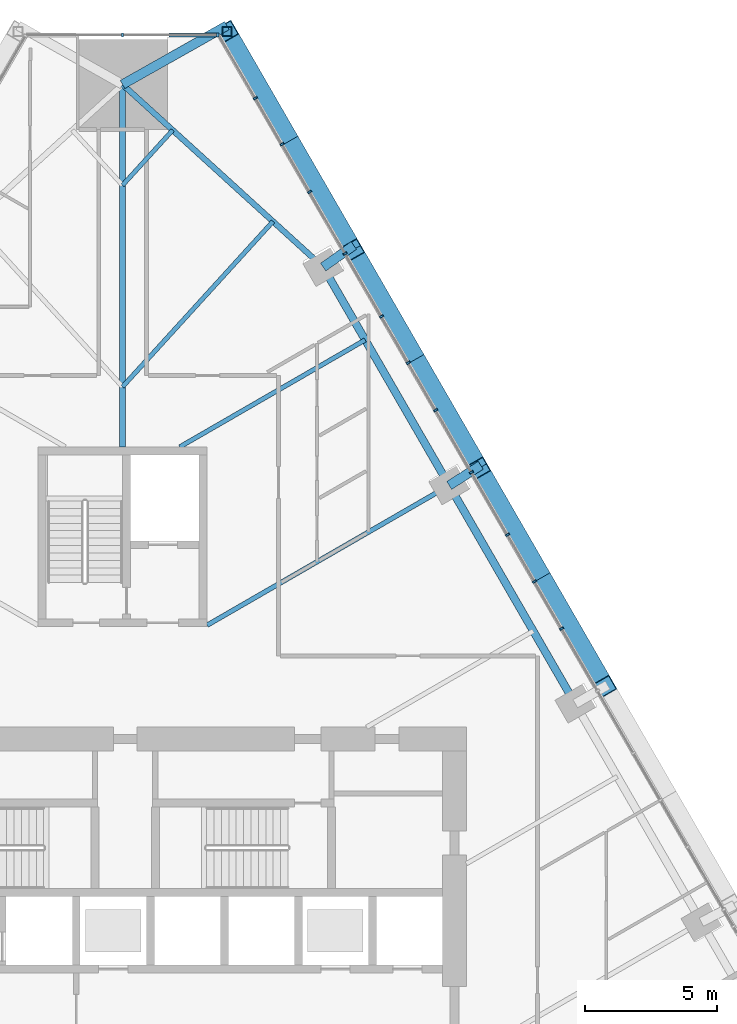
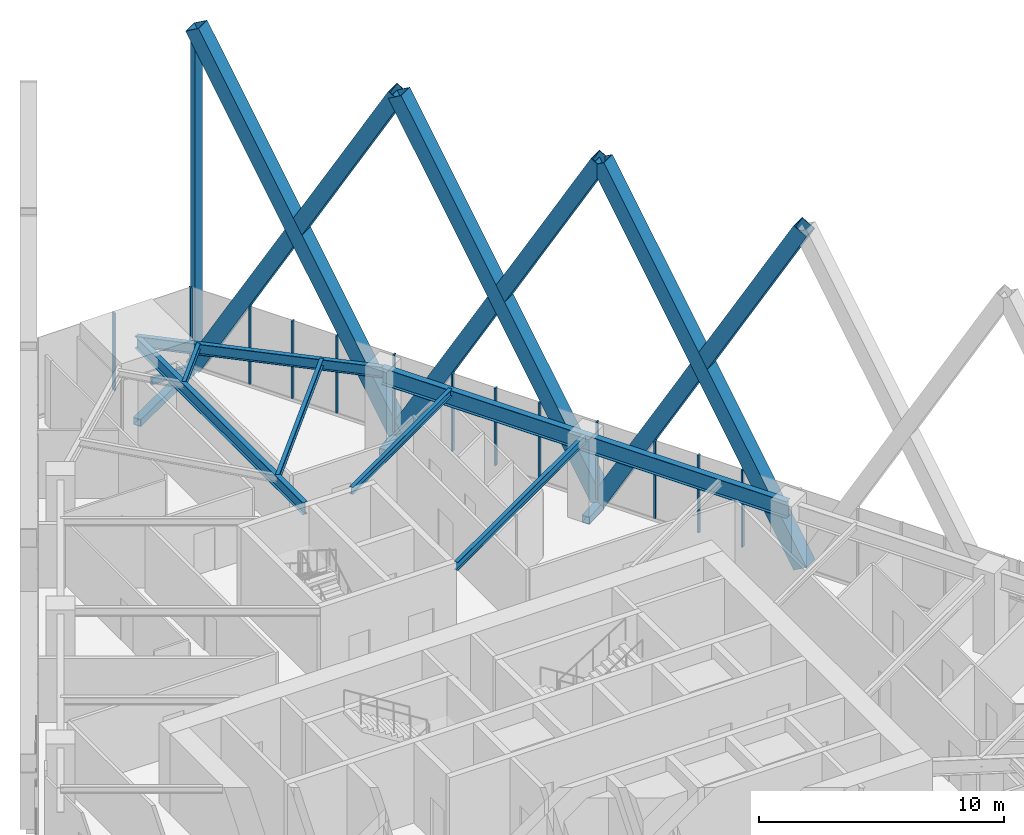
# One storey, part 11 of 23: 24 members, 7 beams, 2 elements without a shape of their own.
"""IFC4 building model written with IfcOpenShell, lengths in metres."""

from ifc_helpers import new_model, si_unit, direction, frame, origin, origin_2d, place, context, subcontext, project, spatial, rectangle, hollow_rectangle, i_section, extrude, material, layer, layer_set, material_profile, profile_set, type_object, element, aggregate, save


model = new_model("IFC4")

# Units and contexts
model_context = context("Model", 3, precision=1e-05, world=origin(), true_north=direction((0.0, 1.0)))
body_context = subcontext(model_context, "Body", "Model", "MODEL_VIEW")
ifc_project = project(units=[si_unit("LENGTHUNIT", "METRE"), si_unit("AREAUNIT", "SQUARE_METRE"), si_unit("VOLUMEUNIT", "CUBIC_METRE"), si_unit("PLANEANGLEUNIT", "RADIAN"), si_unit("MASSUNIT", "GRAM", prefix="KILO")], contexts=[model_context])

# Site, building, storey
site_placement = place(None, origin())
site = spatial("IfcSite", under=ifc_project, at=site_placement, CompositionType="ELEMENT")
building_placement = place(site_placement, origin())
building = spatial("IfcBuilding", under=site, at=building_placement, Name="Firuza Gate Tower and Library", CompositionType="ELEMENT")
storey_placement = place(building_placement, frame((0.0, 0.0, 56.800048828125)))
storey = spatial("IfcBuildingStorey", under=building, at=storey_placement, Name="L12", CompositionType="ELEMENT", Elevation=56.800048828125)

# Members
ifc_material_1 = material(Name="Steel S355", Category="steel")
ifc_material_profile_1 = material_profile(ifc_material_1, hollow_rectangle(XDim=0.699951171875, YDim=0.699951171875, WallThickness=0.030029296875, at=origin_2d()))
ifc_profile_set_1 = profile_set([ifc_material_profile_1], Name="Steel S355")
member_type_1 = type_object("IfcMemberType", Name="BU700x700x30 Lattice brace", PredefinedType="BRACE", material=ifc_profile_set_1)
for number, where, z_axis, x_axis, name in (
    (1, (93.248046875, 85.53564453125, 0.0), (-0.246782210514, 0.427451661466, 0.86970317792), (-0.866031651222, -0.499989178965, 0.0), "Lattice brace E 2.4R"),
    (2, (88.48095703125, 93.792724609375, 0.0), (0.246782210514, -0.427451661466, 0.86970317792), (0.866031651222, 0.499989178965, 0.0), "Lattice brace E 2.4L"),
):
    element("IfcMember", number, at=place(storey_placement, frame(where, z_axis=z_axis, x_axis=x_axis)), inside=storey, type_object=member_type_1, Name=name, PredefinedType="BRACE", context=body_context, shape_type="SweptSolid", body=[
        extrude(hollow_rectangle(XDim=0.699951171875, YDim=0.699951171875, WallThickness=0.030029296875, at=origin_2d()), origin(), (0.0, 0.0, 1.0), 19.31689453125),
    ])
for number, where, z_axis, x_axis, name in (
    (3, (88.48095703125, 93.792724609375, 0.0), (-0.246794079392, 0.427450328219, 0.869700465265), (-0.866020563445, -0.50000838362, 0.0), "Lattice brace E 2.5R"),
    (4, (83.713623046875, 102.0498046875, 0.0), (0.246794079392, -0.427450328219, 0.869700465265), (0.866020563445, 0.50000838362, 0.0), "Lattice brace E 2.5L"),
    (5, (83.713623046875, 102.0498046875, 0.0), (-0.246794079392, 0.427450328219, 0.869700465265), (-0.866020563445, -0.50000838362, 0.0), "Lattice brace E 2.6R"),
    (6, (78.9462890625, 110.306884765625, 0.0), (0.246794079392, -0.427450328219, 0.869700465265), (0.866020563445, 0.50000838362, 0.0), "Lattice brace E 2.6L"),
):
    element("IfcMember", number, at=place(storey_placement, frame(where, z_axis=z_axis, x_axis=x_axis)), inside=storey, type_object=member_type_1, Name=name, PredefinedType="BRACE", context=body_context, shape_type="SweptSolid", body=[
        extrude(hollow_rectangle(XDim=0.699951171875, YDim=0.699951171875, WallThickness=0.030029296875, at=origin_2d()), origin(), (0.0, 0.0, 1.0), 19.317138671875),
    ])

# Curtain wall, members
ifc_material_2 = material(Name="Aluminium 6063-T6", Category="aluminium")
ifc_layer_1 = layer(ifc_material_2, 0.14990234375)
ifc_layer_set_1 = layer_set([ifc_layer_1], Name="Unitised curtain wall, offices")
curtain_wall_type_1 = type_object("IfcCurtainWallType", Name="Unitised curtain wall, offices", PredefinedType="NOTDEFINED", material=ifc_layer_set_1)
placement = place(storey_placement, origin())
curtain_wall_1 = element("IfcCurtainWall", 7, at=placement, inside=storey, type_object=curtain_wall_type_1, Name="CW1 L12 E face", PredefinedType="NOTDEFINED")
ifc_material_3 = material(Name="Aluminium 6063-T6", Category="aluminium")
ifc_material_profile_2 = material_profile(ifc_material_3, rectangle(XDim=0.14990234375, YDim=0.080078125, at=origin_2d()))
ifc_profile_set_2 = profile_set([ifc_material_profile_2], Name="Aluminium 6063-T6")
member_type_2 = type_object("IfcMemberType", Name="Curtain wall mullion 80x150", PredefinedType="MULLION", material=ifc_profile_set_2)
member_1_placement = place(storey_placement, frame((90.579345703125, 89.5078125, 0.14990234375), z_axis=(0.0, 0.0, 1.0), x_axis=(-0.866025403784, -0.5, 0.0)))
member_1 = element("IfcMember", 8, at=member_1_placement, type_object=member_type_2, Name="Mullion", PredefinedType="MULLION", context=body_context, shape_type="SweptSolid", body=[
    extrude(rectangle(XDim=0.14990234375, YDim=0.080078125, at=origin_2d()), origin(), (0.0, 0.0, 1.0), 3.85009765625),
])
member_2_placement = place(storey_placement, frame((88.192138671875, 93.642578125, 0.14990234375), z_axis=(0.0, 0.0, 1.0), x_axis=(-0.866025403784, -0.5, 0.0)))
member_2 = element("IfcMember", 9, at=member_2_placement, type_object=member_type_2, Name="Mullion", PredefinedType="MULLION", context=body_context, shape_type="SweptSolid", body=[
    extrude(rectangle(XDim=0.14990234375, YDim=0.080078125, at=origin_2d()), origin(), (0.0, 0.0, 1.0), 3.85009765625),
])
member_3_placement = place(storey_placement, frame((85.804931640625, 97.77734375, 0.14990234375), z_axis=(0.0, 0.0, 1.0), x_axis=(-0.866025403784, -0.5, 0.0)))
member_3 = element("IfcMember", 10, at=member_3_placement, type_object=member_type_2, Name="Mullion", PredefinedType="MULLION", context=body_context, shape_type="SweptSolid", body=[
    extrude(rectangle(XDim=0.14990234375, YDim=0.080078125, at=origin_2d()), origin(), (0.0, 0.0, 1.0), 3.85009765625),
])
member_4_placement = place(storey_placement, frame((83.417724609375, 101.912109375, 0.14990234375), z_axis=(0.0, 0.0, 1.0), x_axis=(-0.866025403784, -0.5, 0.0)))
member_4 = element("IfcMember", 11, at=member_4_placement, type_object=member_type_2, Name="Mullion", PredefinedType="MULLION", context=body_context, shape_type="SweptSolid", body=[
    extrude(rectangle(XDim=0.14990234375, YDim=0.080078125, at=origin_2d()), origin(), (0.0, 0.0, 1.0), 3.85009765625),
])
member_5_placement = place(storey_placement, frame((81.030517578125, 106.047119140625, 0.14990234375), z_axis=(0.0, 0.0, 1.0), x_axis=(-0.866025403784, -0.5, 0.0)))
member_5 = element("IfcMember", 12, at=member_5_placement, type_object=member_type_2, Name="Mullion", PredefinedType="MULLION", context=body_context, shape_type="SweptSolid", body=[
    extrude(rectangle(XDim=0.14990234375, YDim=0.080078125, at=origin_2d()), origin(), (0.0, 0.0, 1.0), 3.85009765625),
])
member_6_placement = place(storey_placement, frame((91.60791015625, 87.7265625, 0.14990234375), z_axis=(0.0, 0.0, 1.0), x_axis=(-0.866025403784, -0.5, 0.0)))
member_6 = element("IfcMember", 13, at=member_6_placement, type_object=member_type_2, Name="Mullion", PredefinedType="MULLION", context=body_context, shape_type="SweptSolid", body=[
    extrude(rectangle(XDim=0.14990234375, YDim=0.080078125, at=origin_2d()), origin(), (0.0, 0.0, 1.0), 3.85009765625),
])
member_7_placement = place(storey_placement, frame((89.55810546875, 91.276611328125, 0.14990234375), z_axis=(0.0, 0.0, 1.0), x_axis=(-0.866025403784, -0.5, 0.0)))
member_7 = element("IfcMember", 14, at=member_7_placement, type_object=member_type_2, Name="Mullion", PredefinedType="MULLION", context=body_context, shape_type="SweptSolid", body=[
    extrude(rectangle(XDim=0.14990234375, YDim=0.080078125, at=origin_2d()), origin(), (0.0, 0.0, 1.0), 3.85009765625),
])
member_8_placement = place(storey_placement, frame((86.840576171875, 95.983642578125, 0.14990234375), z_axis=(0.0, 0.0, 1.0), x_axis=(-0.866025403784, -0.5, 0.0)))
member_8 = element("IfcMember", 15, at=member_8_placement, type_object=member_type_2, Name="Mullion", PredefinedType="MULLION", context=body_context, shape_type="SweptSolid", body=[
    extrude(rectangle(XDim=0.14990234375, YDim=0.080078125, at=origin_2d()), origin(), (0.0, 0.0, 1.0), 3.85009765625),
])
member_9_placement = place(storey_placement, frame((84.791015625, 99.53369140625, 0.14990234375), z_axis=(0.0, 0.0, 1.0), x_axis=(-0.866025403784, -0.5, 0.0)))
member_9 = element("IfcMember", 16, at=member_9_placement, type_object=member_type_2, Name="Mullion", PredefinedType="MULLION", context=body_context, shape_type="SweptSolid", body=[
    extrude(rectangle(XDim=0.14990234375, YDim=0.080078125, at=origin_2d()), origin(), (0.0, 0.0, 1.0), 3.85009765625),
])
member_10_placement = place(storey_placement, frame((82.073486328125, 104.24072265625, 0.14990234375), z_axis=(0.0, 0.0, 1.0), x_axis=(-0.866025403784, -0.5, 0.0)))
member_10 = element("IfcMember", 17, at=member_10_placement, type_object=member_type_2, Name="Mullion", PredefinedType="MULLION", context=body_context, shape_type="SweptSolid", body=[
    extrude(rectangle(XDim=0.14990234375, YDim=0.080078125, at=origin_2d()), origin(), (0.0, 0.0, 1.0), 3.85009765625),
])
member_11_placement = place(storey_placement, frame((80.023681640625, 107.790771484375, 0.14990234375), z_axis=(0.0, 0.0, 1.0), x_axis=(-0.866025403784, -0.5, 0.0)))
member_11 = element("IfcMember", 18, at=member_11_placement, type_object=member_type_2, Name="Mullion", PredefinedType="MULLION", context=body_context, shape_type="SweptSolid", body=[
    extrude(rectangle(XDim=0.14990234375, YDim=0.080078125, at=origin_2d()), origin(), (0.0, 0.0, 1.0), 3.85009765625),
])
aggregate(curtain_wall_1, [member_1, member_2, member_3, member_4, member_5, member_6, member_7, member_8, member_9, member_10, member_11])

ifc_material_4 = material(Name="Aluminium 6063-T6", Category="aluminium")
ifc_layer_2 = layer(ifc_material_4, 0.14990234375)
ifc_layer_set_2 = layer_set([ifc_layer_2], Name="Corner curtain wall, chamfers")
curtain_wall_type_2 = type_object("IfcCurtainWallType", Name="Corner curtain wall, chamfers", PredefinedType="NOTDEFINED", material=ifc_layer_set_2)
curtain_wall_2 = element("IfcCurtainWall", 19, at=placement, inside=storey, type_object=curtain_wall_type_2, Name="CW4 L12 N corner", PredefinedType="NOTDEFINED")
member_12_placement = place(storey_placement, frame((78.603271484375, 110.181884765625, 0.14990234375), z_axis=(0.0, 0.0, 1.0), x_axis=(0.0, -1.0, 0.0)))
member_12 = element("IfcMember", 20, at=member_12_placement, type_object=member_type_2, Name="Mullion", PredefinedType="MULLION", context=body_context, shape_type="SweptSolid", body=[
    extrude(rectangle(XDim=0.14990234375, YDim=0.080078125, at=origin_2d()), origin(), (0.0, 0.0, 1.0), 3.85009765625),
])
member_13_placement = place(storey_placement, frame((75.0, 110.181884765625, 0.14990234375), z_axis=(0.0, 0.0, 1.0), x_axis=(0.0, -1.0, 0.0)))
member_13 = element("IfcMember", 21, at=member_13_placement, type_object=member_type_2, Name="Mullion", PredefinedType="MULLION", context=body_context, shape_type="SweptSolid", body=[
    extrude(rectangle(XDim=0.14990234375, YDim=0.080078125, at=origin_2d()), origin(), (0.0, 0.0, 1.0), 3.85009765625),
])
ifc_material_5 = material(Name="Aluminium 6063-T6", Category="aluminium")
ifc_material_profile_3 = material_profile(ifc_material_5, rectangle(XDim=0.14990234375, YDim=0.35009765625, at=origin_2d()))
ifc_profile_set_3 = profile_set([ifc_material_profile_3], Name="Aluminium 6063-T6")
member_type_3 = type_object("IfcMemberType", Name="Curtain wall transom 350x150", PredefinedType="USERDEFINED", material=ifc_profile_set_3)
member_14_placement = place(storey_placement, frame((78.643310546875, 110.181884765625, -0.025146484375), z_axis=(-1.0, 0.0, 0.0), x_axis=(0.0, -1.0, 0.0)))
member_14 = element("IfcMember", 22, at=member_14_placement, type_object=member_type_3, Name="Transom", ObjectType="TRANSOM", PredefinedType="USERDEFINED", context=body_context, shape_type="SweptSolid", body=[
    extrude(rectangle(XDim=0.14990234375, YDim=0.35009765625, at=origin_2d()), origin(), (0.0, 0.0, 1.0), 1.89208984375),
])
aggregate(curtain_wall_2, [member_12, member_13, member_14])

# Members
ifc_material_6 = material(Name="Steel S355", Category="steel")
ifc_material_profile_4 = material_profile(ifc_material_6, hollow_rectangle(XDim=0.355712890625, YDim=0.355712890625, WallThickness=0.014892578125, at=origin_2d()))
ifc_profile_set_4 = profile_set([ifc_material_profile_4], Name="Steel S355")
member_type_4 = type_object("IfcMemberType", Name="HSS356x356x16 Lattice corner stile", PredefinedType="BRACE", material=ifc_profile_set_4)
member_15_placement = place(storey_placement, frame((78.9462890625, 110.306884765625, -0.14013671875), z_axis=(0.0, 0.0, 1.0), x_axis=(1.0, 0.0, 0.0)))
element("IfcMember", 23, at=member_15_placement, inside=storey, type_object=member_type_4, Name="Lattice corner stile E 2.B", PredefinedType="BRACE", context=body_context, shape_type="SweptSolid", body=[
    extrude(hollow_rectangle(XDim=0.355712890625, YDim=0.355712890625, WallThickness=0.014892578125, at=origin_2d()), origin(), (0.0, 0.0, 1.0), 16.440185546875),
])
ifc_material_7 = material(Name="Steel S355", Category="steel")
ifc_material_profile_5 = material_profile(ifc_material_7, hollow_rectangle(XDim=0.355712890625, YDim=0.355712890625, WallThickness=0.014892578125, at=origin_2d()))
ifc_profile_set_5 = profile_set([ifc_material_profile_5], Name="Steel S355")
member_type_5 = type_object("IfcMemberType", Name="HSS356x356x16 Lattice node tie", PredefinedType="BRACE", material=ifc_profile_set_5)
member_16_placement = place(storey_placement, frame((75.0, 108.306884765625, -0.320068359375), z_axis=(0.87088977596, 0.491478380123, 0.0), x_axis=(-0.491478380123, 0.87088977596, 0.0)))
element("IfcMember", 24, at=member_16_placement, inside=storey, type_object=member_type_5, Name="Lattice node tie E L12 22", PredefinedType="BRACE", context=body_context, shape_type="SweptSolid", body=[
    extrude(hollow_rectangle(XDim=0.355712890625, YDim=0.355712890625, WallThickness=0.014892578125, at=origin_2d()), origin(), (0.0, 0.0, 1.0), 4.53125),
])
member_17_placement = place(storey_placement, frame((82.587890625, 101.399658203125, -0.320068359375), z_axis=(0.816108977839, 0.57789803278, 0.0), x_axis=(-0.57789803278, 0.816108977839, 0.0)))
element("IfcMember", 25, at=member_17_placement, inside=storey, type_object=member_type_5, Name="Lattice node tie E L12 23", PredefinedType="BRACE", context=body_context, shape_type="SweptSolid", body=[
    extrude(hollow_rectangle(XDim=0.355712890625, YDim=0.355712890625, WallThickness=0.014892578125, at=origin_2d()), origin(), (0.0, 0.0, 1.0), 1.41943359375),
])
member_18_placement = place(storey_placement, frame((87.35498046875, 93.142578125, -0.320068359375), z_axis=(0.84189521683, 0.539641032427, 0.0), x_axis=(-0.539641032427, 0.84189521683, 0.0)))
element("IfcMember", 26, at=member_18_placement, inside=storey, type_object=member_type_5, Name="Lattice node tie E L12 24", PredefinedType="BRACE", context=body_context, shape_type="SweptSolid", body=[
    extrude(hollow_rectangle(XDim=0.355712890625, YDim=0.355712890625, WallThickness=0.014892578125, at=origin_2d()), origin(), (0.0, 0.0, 1.0), 1.4150390625),
])

# Beams
ifc_material_8 = material(Name="Steel S355", Category="steel")
ifc_material_profile_6 = material_profile(ifc_material_8, i_section(OverallWidth=0.1650390625, OverallDepth=0.31005859375, WebThickness=0.005859375, FlangeThickness=0.009765625, at=origin_2d()))
ifc_profile_set_6 = profile_set([ifc_material_profile_6], Name="Steel S355")
beam_type_1 = type_object("IfcBeamType", Name="W310x39 Floor beam", PredefinedType="JOIST", material=ifc_profile_set_6)
beam_1_placement = place(storey_placement, frame((76.89697265625, 106.580078125, 3.844970703125), z_axis=(-0.673146987304, -0.739508710891, 0.0), x_axis=(0.739508710891, -0.673146987304, 0.0)))
element("IfcBeam", 27, at=beam_1_placement, inside=storey, type_object=beam_type_1, Name="Floor beam L12 s61", PredefinedType="JOIST", context=body_context, shape_type="SweptSolid", body=[
    extrude(i_section(OverallWidth=0.1650390625, OverallDepth=0.31005859375, WebThickness=0.005859375, FlangeThickness=0.009765625, at=origin_2d()), origin(), (0.0, 0.0, 1.0), 2.818115234375),
])
ifc_material_9 = material(Name="Steel S355", Category="steel")
ifc_material_profile_7 = material_profile(ifc_material_9, i_section(OverallWidth=0.1708984375, OverallDepth=0.35498046875, WebThickness=0.007080078125, FlangeThickness=0.01171875, at=origin_2d()))
ifc_profile_set_7 = profile_set([ifc_material_profile_7], Name="Steel S355")
beam_type_2 = type_object("IfcBeamType", Name="W360x51 Floor beam", PredefinedType="JOIST", material=ifc_profile_set_7)
beam_2_placement = place(storey_placement, frame((84.177001953125, 98.6474609375, 3.822509765625), z_axis=(-0.8660258691, -0.499999194049, 0.0), x_axis=(0.499999194049, -0.8660258691, 0.0)))
element("IfcBeam", 28, at=beam_2_placement, inside=storey, type_object=beam_type_2, Name="Floor beam L12 s55", PredefinedType="JOIST", context=body_context, shape_type="SweptSolid", body=[
    extrude(i_section(OverallWidth=0.1708984375, OverallDepth=0.35498046875, WebThickness=0.007080078125, FlangeThickness=0.01171875, at=origin_2d()), origin(), (0.0, 0.0, 1.0), 8.0947265625),
])
beam_3_placement = place(storey_placement, frame((80.69091796875, 103.12646484375, 3.822509765625), z_axis=(-0.673161362913, -0.739495625059, 0.0), x_axis=(0.739495625059, -0.673161362913, 0.0)))
element("IfcBeam", 29, at=beam_3_placement, inside=storey, type_object=beam_type_2, Name="Floor beam L12 s60", PredefinedType="JOIST", context=body_context, shape_type="SweptSolid", body=[
    extrude(i_section(OverallWidth=0.1708984375, OverallDepth=0.35498046875, WebThickness=0.007080078125, FlangeThickness=0.01171875, at=origin_2d()), origin(), (0.0, 0.0, 1.0), 8.4541015625),
])
ifc_material_10 = material(Name="Steel S355", Category="steel")
ifc_material_profile_8 = material_profile(ifc_material_10, i_section(OverallWidth=0.177978515625, OverallDepth=0.406982421875, WebThickness=0.0078125, FlangeThickness=0.0126953125, at=origin_2d()))
ifc_profile_set_8 = profile_set([ifc_material_profile_8], Name="Steel S355")
beam_type_3 = type_object("IfcBeamType", Name="W410x60 Floor beam", PredefinedType="JOIST", material=ifc_profile_set_8)
beam_4_placement = place(storey_placement, frame((87.35498046875, 93.142578125, 3.79638671875), z_axis=(-0.866025981243, -0.499998999811, 0.0), x_axis=(0.499998999811, -0.866025981243, 0.0)))
element("IfcBeam", 30, at=beam_4_placement, inside=storey, type_object=beam_type_3, Name="Floor beam L12 s54", PredefinedType="JOIST", context=body_context, shape_type="SweptSolid", body=[
    extrude(i_section(OverallWidth=0.177978515625, OverallDepth=0.406982421875, WebThickness=0.0078125, FlangeThickness=0.0126953125, at=origin_2d()), origin(), (0.0, 0.0, 1.0), 10.5712890625),
])
ifc_material_11 = material(Name="Steel S355", Category="steel")
ifc_material_profile_9 = material_profile(ifc_material_11, i_section(OverallWidth=0.212890625, OverallDepth=0.5390625, WebThickness=0.01171875, FlangeThickness=0.018798828125, at=origin_2d()))
ifc_profile_set_9 = profile_set([ifc_material_profile_9], Name="Steel S355")
beam_type_4 = type_object("IfcBeamType", Name="W530x109 Edge beam", PredefinedType="SPANDREL", material=ifc_profile_set_9)
beam_5_placement = place(storey_placement, frame((82.587890625, 101.399658203125, 3.73046875), z_axis=(-0.739496344773, 0.673160572276, 0.0), x_axis=(-0.673160572276, -0.739496344773, 0.0)))
element("IfcBeam", 31, at=beam_5_placement, inside=storey, type_object=beam_type_4, Name="Edge beam L12 e60", PredefinedType="SPANDREL", context=body_context, shape_type="SweptSolid", body=[
    extrude(i_section(OverallWidth=0.212890625, OverallDepth=0.5390625, WebThickness=0.01171875, FlangeThickness=0.018798828125, at=origin_2d()), origin(), (0.0, 0.0, 1.0), 10.260986328125),
])
ifc_material_12 = material(Name="Steel S355", Category="steel")
ifc_material_profile_10 = material_profile(ifc_material_12, i_section(OverallWidth=0.22802734375, OverallDepth=0.60302734375, WebThickness=0.010498046875, FlangeThickness=0.014892578125, at=origin_2d()))
ifc_profile_set_10 = profile_set([ifc_material_profile_10], Name="Steel S355")
beam_type_5 = type_object("IfcBeamType", Name="W610x101 Girder", PredefinedType="BEAM", material=ifc_profile_set_10)
beam_6_placement = place(storey_placement, frame((75.0, 108.306884765625, 3.698486328125), z_axis=(0.0, -1.0, 0.0), x_axis=(1.0, 0.0, 0.0)))
element("IfcBeam", 32, at=beam_6_placement, inside=storey, type_object=beam_type_5, Name="Girder L12 gN", PredefinedType="BEAM", context=body_context, shape_type="SweptSolid", body=[
    extrude(i_section(OverallWidth=0.22802734375, OverallDepth=0.60302734375, WebThickness=0.010498046875, FlangeThickness=0.014892578125, at=origin_2d()), origin(), (0.0, 0.0, 1.0), 13.706787109375),
])
ifc_material_13 = material(Name="Steel S355", Category="steel")
ifc_material_profile_11 = material_profile(ifc_material_13, i_section(OverallWidth=0.2919921875, OverallDepth=0.8349609375, WebThickness=0.013916015625, FlangeThickness=0.018798828125, at=origin_2d()))
ifc_profile_set_11 = profile_set([ifc_material_profile_11], Name="Steel S355")
beam_type_6 = type_object("IfcBeamType", Name="W840x176 Edge beam", PredefinedType="SPANDREL", material=ifc_profile_set_11)
beam_7_placement = place(storey_placement, frame((92.122314453125, 84.885498046875, 3.58251953125), z_axis=(-0.499998781384, 0.866026107351, 0.0), x_axis=(-0.866026107351, -0.499998781384, 0.0)))
element("IfcBeam", 33, at=beam_7_placement, inside=storey, type_object=beam_type_6, Name="Edge beam L12 e52", PredefinedType="SPANDREL", context=body_context, shape_type="SweptSolid", body=[
    extrude(i_section(OverallWidth=0.2919921875, OverallDepth=0.8349609375, WebThickness=0.013916015625, FlangeThickness=0.018798828125, at=origin_2d()), origin(), (0.0, 0.0, 1.0), 19.06884765625),
])

save(model, "model.ifc")
